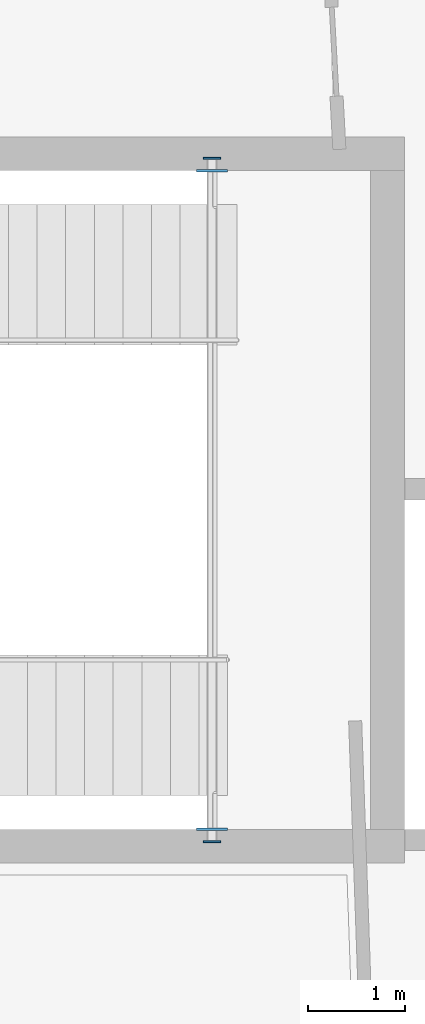
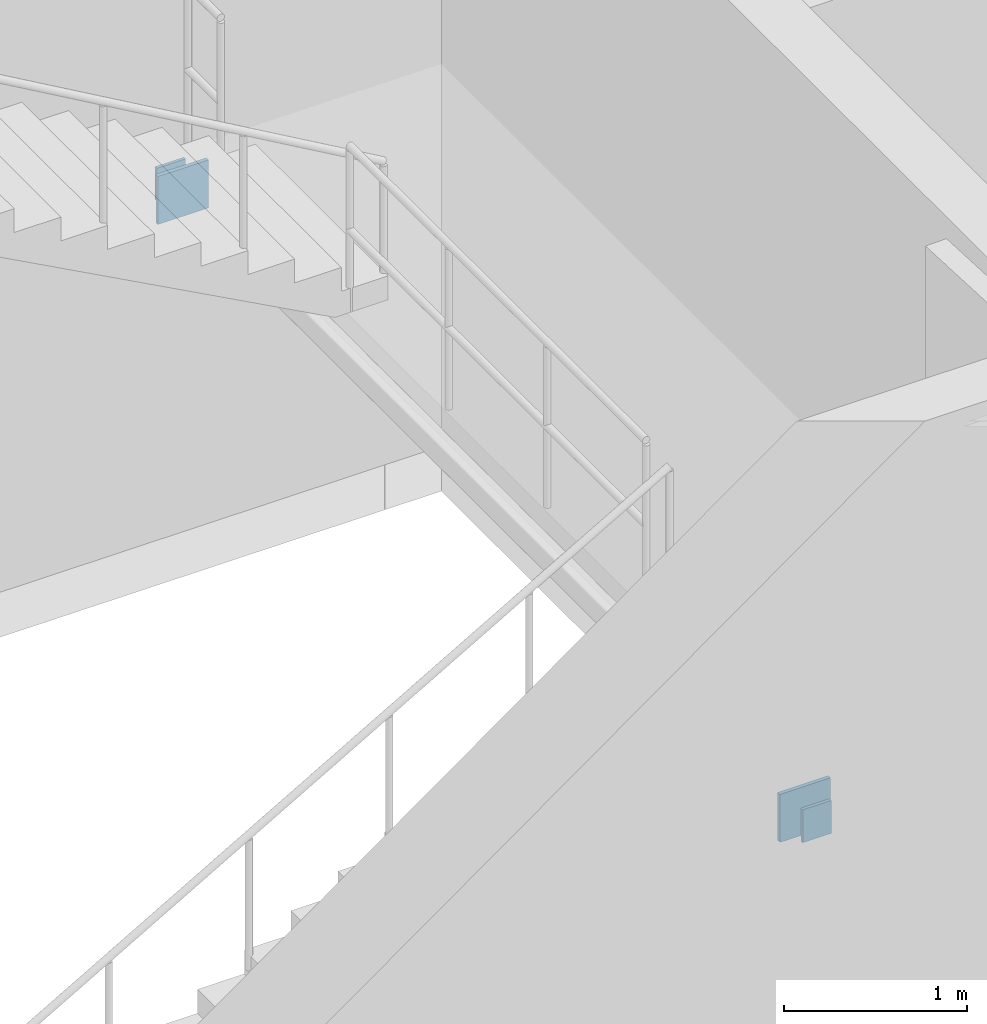
# One storey, part 34 of 68: 4 plates.
"""IFC4 building model written with IfcOpenShell, lengths in metres."""

from ifc_helpers import new_model, si_unit, direction, frame, origin, origin_2d, place, context, subcontext, project, spatial, rectangle, extrude, material, layer, layer_set, type_object, element, save


model = new_model("IFC4")

# Units and contexts
model_context = context("Model", 3, precision=1e-05, world=origin(), true_north=direction((0.0, 1.0)))
body_context = subcontext(model_context, "Body", "Model", "MODEL_VIEW")
ifc_project = project(units=[si_unit("LENGTHUNIT", "METRE"), si_unit("AREAUNIT", "SQUARE_METRE"), si_unit("VOLUMEUNIT", "CUBIC_METRE"), si_unit("PLANEANGLEUNIT", "RADIAN"), si_unit("MASSUNIT", "GRAM", prefix="KILO"), si_unit("THERMODYNAMICTEMPERATUREUNIT", "KELVIN"), si_unit("POWERUNIT", "WATT")], contexts=[model_context])

# Site, building, storey
site_placement = place(None, origin())
site = spatial("IfcSite", under=ifc_project, at=site_placement, CompositionType="ELEMENT")
building_placement = place(site_placement, origin())
building = spatial("IfcBuilding", under=site, at=building_placement, Name="Solvatero Civic Police Headquarters", CompositionType="ELEMENT")
storey_placement = place(building_placement, origin())
storey = spatial("IfcBuildingStorey", under=building, at=storey_placement, Name="L00", CompositionType="ELEMENT", Elevation=0.0)

# Plates
ifc_material = material(Name="Steel S355", Category="steel")
ifc_layer_1 = layer(ifc_material, 0.02001953125)
ifc_layer_set_1 = layer_set([ifc_layer_1], Name="Steel S355")
plate_type_1 = type_object("IfcPlateType", Name="PLT-CAP-20", PredefinedType="SHEET", material=ifc_layer_set_1)
for number, where, z_axis, x_axis, name in (
    (1, (90.764892578125, 75.070068359375, 2.1650390625), (0.0, 0.0, 1.0), (1.0, 0.0, 0.0), "Hollow Section Cap Plate 0041"),
    (2, (90.764892578125, 82.1298828125, 2.1650390625), (0.0, 0.0, 1.0), (1.0, 0.0, 0.0), "Hollow Section Cap Plate 0042"),
):
    element("IfcPlate", number, at=place(storey_placement, frame(where, z_axis=z_axis, x_axis=x_axis)), inside=storey, type_object=plate_type_1, Name=name, PredefinedType="SHEET", context=body_context, shape_type="SweptSolid", body=[
        extrude(rectangle(XDim=0.179931640625, YDim=0.02001953125, at=origin_2d()), origin(), (0.0, 0.0, 1.0), 0.219970703125),
    ])
ifc_layer_2 = layer(ifc_material, 0.02490234375)
ifc_layer_set_2 = layer_set([ifc_layer_2], Name="Steel S355")
plate_type_2 = type_object("IfcPlateType", Name="PLT-EMB-25", PredefinedType="SHEET", material=ifc_layer_set_2)
for number, where, z_axis, x_axis, name in (
    (3, (90.764892578125, 75.199951171875, 2.11474609375), (0.0, 0.0, 1.0), (1.0, 0.0, 0.0), "Cast-In Shear Wall Embed Plate 0041"),
    (4, (90.764892578125, 82.0, 2.11474609375), (0.0, 0.0, 1.0), (1.0, 0.0, 0.0), "Cast-In Shear Wall Embed Plate 0042"),
):
    element("IfcPlate", number, at=place(storey_placement, frame(where, z_axis=z_axis, x_axis=x_axis)), inside=storey, type_object=plate_type_2, Name=name, PredefinedType="SHEET", context=body_context, shape_type="SweptSolid", body=[
        extrude(rectangle(XDim=0.320068359375, YDim=0.02490234375, at=origin_2d()), origin(), (0.0, 0.0, 1.0), 0.320068359375),
    ])

save(model, "model.ifc")
